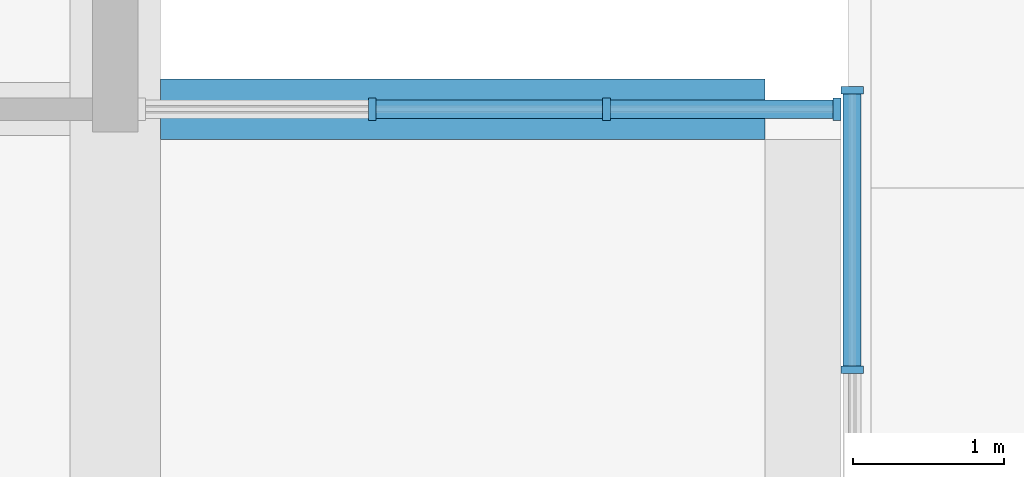
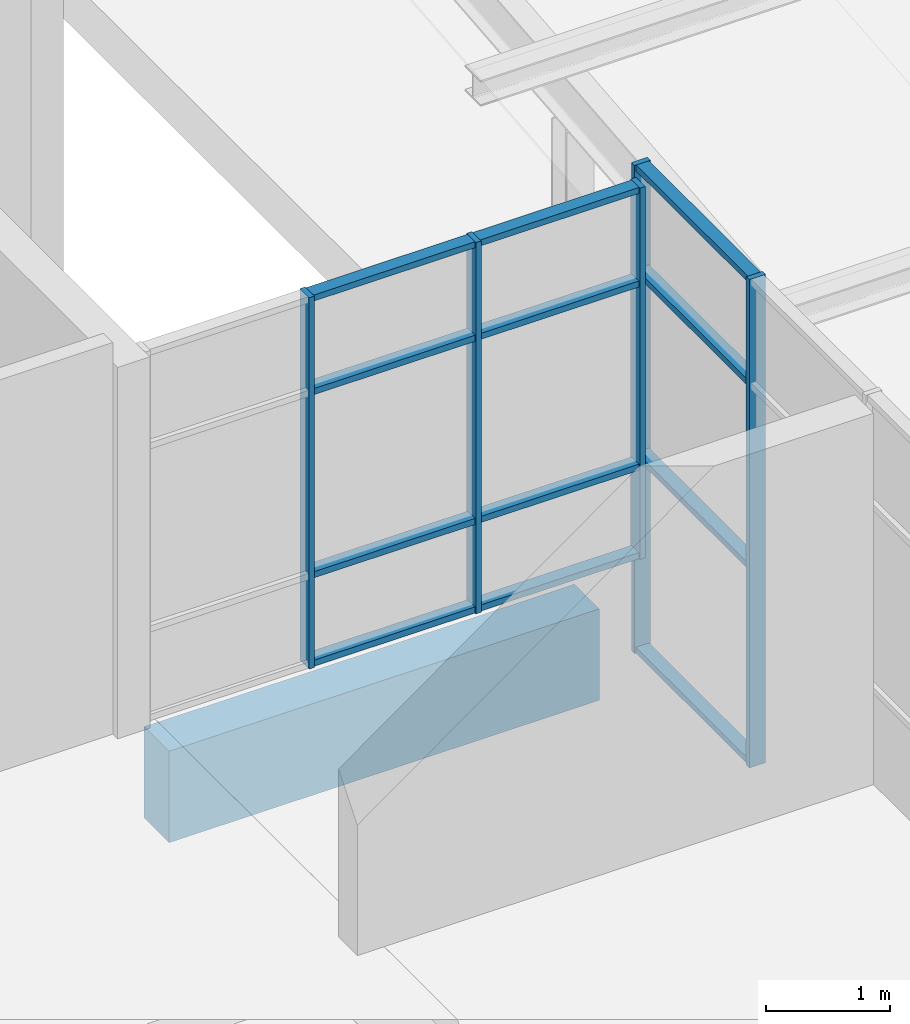
# One storey, part 16 of 44: 17 members, 1 beam, 2 elements without a shape of their own.
"""IFC4 building model written with IfcOpenShell, lengths in metres."""

from ifc_helpers import new_model, si_unit, direction, frame, origin, origin_2d, place, context, subcontext, project, spatial, rectangle, extrude, material, layer, layer_set, material_profile, profile_set, type_object, element, aggregate, save


model = new_model("IFC4")

# Units and contexts
model_context = context("Model", 3, precision=1e-05, world=origin(), true_north=direction((0.0, 1.0)))
body_context = subcontext(model_context, "Body", "Model", "MODEL_VIEW")
ifc_project = project(units=[si_unit("LENGTHUNIT", "METRE"), si_unit("AREAUNIT", "SQUARE_METRE"), si_unit("VOLUMEUNIT", "CUBIC_METRE"), si_unit("PLANEANGLEUNIT", "RADIAN"), si_unit("MASSUNIT", "GRAM", prefix="KILO")], contexts=[model_context])

# Site, building, storey
site_placement = place(None, origin())
site = spatial("IfcSite", under=ifc_project, at=site_placement, CompositionType="ELEMENT")
building_placement = place(site_placement, origin())
building = spatial("IfcBuilding", under=site, at=building_placement, Name="Basin Gate Institute", CompositionType="ELEMENT")
storey_placement = place(building_placement, frame((0.0, 0.0, 27.0)))
storey = spatial("IfcBuildingStorey", under=building, at=storey_placement, Name="L05", CompositionType="ELEMENT", Elevation=27.0)

# Beam
ifc_material_1 = material(Name="Concrete 50 MPa", Category="concrete")
ifc_material_profile_1 = material_profile(ifc_material_1, rectangle(XDim=0.39990234375, YDim=0.89990234375, at=origin_2d()), Name="Cantilever beam B3 400 x 900")
ifc_profile_set_1 = profile_set([ifc_material_profile_1], Name="Concrete 50 MPa")
beam_type = type_object("IfcBeamType", Name="Cantilever beam B3 R120", PredefinedType="BEAM", material=ifc_profile_set_1)
beam_placement = place(storey_placement, frame((123.10009765625, 85.5, -0.699951171875), z_axis=(-1.0, 0.0, 0.0), x_axis=(0.0, -1.0, 0.0)))
element("IfcBeam", 1, at=beam_placement, inside=storey, type_object=beam_type, material=ifc_profile_set_1, Name="BEAM/L05/E/CANT/15", PredefinedType="BEAM", context=body_context, shape_type="SweptSolid", body=[
    extrude(rectangle(XDim=0.39990234375, YDim=0.89990234375, at=origin_2d()), origin(), (0.0, 0.0, 1.0), 4.0),
])

# Curtain wall, members
ifc_material_2 = material(Name="Aluminium-framed glazing", Category="aluminium")
ifc_layer = layer(ifc_material_2, 0.14990234375)
ifc_layer_set = layer_set([ifc_layer], Name="Capsule front curtain wall CW1")
curtain_wall_type = type_object("IfcCurtainWallType", Name="Capsule front curtain wall CW1", PredefinedType="NOTDEFINED", material=ifc_layer_set)
curtain_wall_1_placement = place(storey_placement, origin())
curtain_wall_1 = element("IfcCurtainWall", 2, at=curtain_wall_1_placement, inside=storey, type_object=curtain_wall_type, material=ifc_layer_set, Name="Capsule front curtain wall E wing capsule end L05 line 15", PredefinedType="NOTDEFINED")
ifc_material_3 = material(Name="Aluminium", Category="aluminium")
ifc_material_profile_2 = material_profile(ifc_material_3, rectangle(XDim=0.14990234375, YDim=0.050048828125, at=origin_2d()), Name="Mullion MU1 150 x 50")
ifc_profile_set_2 = profile_set([ifc_material_profile_2], Name="Aluminium")
member_type_1 = type_object("IfcMemberType", Name="Mullion MU1", PredefinedType="MULLION", material=ifc_profile_set_2)
member_1_placement = place(storey_placement, frame((123.574951171875, 85.5, 0.0), z_axis=(0.0, 0.0, 1.0), x_axis=(0.0, -1.0, 0.0)))
member_1 = element("IfcMember", 3, at=member_1_placement, type_object=member_type_1, material=ifc_profile_set_2, Name="CW1 mullion 1", PredefinedType="MULLION", context=body_context, shape_type="SweptSolid", body=[
    extrude(rectangle(XDim=0.14990234375, YDim=0.050048828125, at=origin_2d()), origin(), (0.0, 0.0, 1.0), 3.64990234375),
])
member_2_placement = place(storey_placement, frame((122.050048828125, 85.5, 0.0), z_axis=(0.0, 0.0, 1.0), x_axis=(0.0, -1.0, 0.0)))
member_2 = element("IfcMember", 4, at=member_2_placement, type_object=member_type_1, material=ifc_profile_set_2, Name="CW1 mullion 2", PredefinedType="MULLION", context=body_context, shape_type="SweptSolid", body=[
    extrude(rectangle(XDim=0.14990234375, YDim=0.050048828125, at=origin_2d()), origin(), (0.0, 0.0, 1.0), 3.64990234375),
])
member_3_placement = place(storey_placement, frame((120.5, 85.5, 0.0), z_axis=(0.0, 0.0, 1.0), x_axis=(0.0, -1.0, 0.0)))
member_3 = element("IfcMember", 5, at=member_3_placement, type_object=member_type_1, material=ifc_profile_set_2, Name="CW1 mullion 3", PredefinedType="MULLION", context=body_context, shape_type="SweptSolid", body=[
    extrude(rectangle(XDim=0.14990234375, YDim=0.050048828125, at=origin_2d()), origin(), (0.0, 0.0, 1.0), 3.64990234375),
])

curtain_wall_2_placement = place(storey_placement, origin())
curtain_wall_2 = element("IfcCurtainWall", 6, at=curtain_wall_2_placement, inside=storey, type_object=curtain_wall_type, material=ifc_layer_set, Name="Capsule front curtain wall E wing capsule 2 L05 front 2", PredefinedType="NOTDEFINED")
member_4_placement = place(storey_placement, frame((123.675048828125, 83.77490234375, -1.050048828125), z_axis=(0.0, 0.0, 1.0), x_axis=(-1.0, 0.0, 0.0)))
member_4 = element("IfcMember", 7, at=member_4_placement, type_object=member_type_1, material=ifc_profile_set_2, Name="CW1 mullion 4", PredefinedType="MULLION", context=body_context, shape_type="SweptSolid", body=[
    extrude(rectangle(XDim=0.14990234375, YDim=0.050048828125, at=origin_2d()), origin(), (0.0, 0.0, 1.0), 4.800048828125),
])
member_5_placement = place(storey_placement, frame((123.675048828125, 85.625, -1.050048828125), z_axis=(0.0, 0.0, 1.0), x_axis=(-1.0, 0.0, 0.0)))
member_5 = element("IfcMember", 8, at=member_5_placement, type_object=member_type_1, material=ifc_profile_set_2, Name="CW1 mullion 5", PredefinedType="MULLION", context=body_context, shape_type="SweptSolid", body=[
    extrude(rectangle(XDim=0.14990234375, YDim=0.050048828125, at=origin_2d()), origin(), (0.0, 0.0, 1.0), 4.800048828125),
])

# Member
ifc_material_4 = material(Name="Aluminium", Category="aluminium")
ifc_material_profile_3 = material_profile(ifc_material_4, rectangle(XDim=0.1201171875, YDim=0.06005859375, at=origin_2d()), Name="Transom TR1 120 x 60")
ifc_profile_set_3 = profile_set([ifc_material_profile_3], Name="Aluminium")
member_type_2 = type_object("IfcMemberType", Name="Transom TR1", PredefinedType="USERDEFINED", material=ifc_profile_set_3)
member_6_placement = place(storey_placement, frame((123.550048828125, 85.5, 0.030029296875), z_axis=(-1.0, 0.0, 0.0), x_axis=(0.0, -1.0, 0.0)))
member_6 = element("IfcMember", 9, at=member_6_placement, type_object=member_type_2, material=ifc_profile_set_3, Name="CW1 transom 1.1", ObjectType="TRANSOM", PredefinedType="USERDEFINED", context=body_context, shape_type="SweptSolid", body=[
    extrude(rectangle(XDim=0.1201171875, YDim=0.06005859375, at=origin_2d()), origin(), (0.0, 0.0, 1.0), 1.47509765625),
])

member_7_placement = place(storey_placement, frame((123.550048828125, 85.5, 0.89990234375), z_axis=(-1.0, 0.0, 0.0), x_axis=(0.0, -1.0, 0.0)))
member_7 = element("IfcMember", 10, at=member_7_placement, type_object=member_type_2, material=ifc_profile_set_3, Name="CW1 transom 1.2", ObjectType="TRANSOM", PredefinedType="USERDEFINED", context=body_context, shape_type="SweptSolid", body=[
    extrude(rectangle(XDim=0.1201171875, YDim=0.06005859375, at=origin_2d()), origin(), (0.0, 0.0, 1.0), 1.47509765625),
])

member_8_placement = place(storey_placement, frame((123.550048828125, 85.5, 2.699951171875), z_axis=(-1.0, 0.0, 0.0), x_axis=(0.0, -1.0, 0.0)))
member_8 = element("IfcMember", 11, at=member_8_placement, type_object=member_type_2, material=ifc_profile_set_3, Name="CW1 transom 1.3", ObjectType="TRANSOM", PredefinedType="USERDEFINED", context=body_context, shape_type="SweptSolid", body=[
    extrude(rectangle(XDim=0.1201171875, YDim=0.06005859375, at=origin_2d()), origin(), (0.0, 0.0, 1.0), 1.47509765625),
])

member_9_placement = place(storey_placement, frame((123.550048828125, 85.5, 3.6201171875), z_axis=(-1.0, 0.0, 0.0), x_axis=(0.0, -1.0, 0.0)))
member_9 = element("IfcMember", 12, at=member_9_placement, type_object=member_type_2, material=ifc_profile_set_3, Name="CW1 transom 1.4", ObjectType="TRANSOM", PredefinedType="USERDEFINED", context=body_context, shape_type="SweptSolid", body=[
    extrude(rectangle(XDim=0.1201171875, YDim=0.06005859375, at=origin_2d()), origin(), (0.0, 0.0, 1.0), 1.47509765625),
])

member_10_placement = place(storey_placement, frame((122.02490234375, 85.5, 0.030029296875), z_axis=(-1.0, 0.0, 0.0), x_axis=(0.0, -1.0, 0.0)))
member_10 = element("IfcMember", 13, at=member_10_placement, type_object=member_type_2, material=ifc_profile_set_3, Name="CW1 transom 2.1", ObjectType="TRANSOM", PredefinedType="USERDEFINED", context=body_context, shape_type="SweptSolid", body=[
    extrude(rectangle(XDim=0.1201171875, YDim=0.06005859375, at=origin_2d()), origin(), (0.0, 0.0, 1.0), 1.5),
])

member_11_placement = place(storey_placement, frame((122.02490234375, 85.5, 0.89990234375), z_axis=(-1.0, 0.0, 0.0), x_axis=(0.0, -1.0, 0.0)))
member_11 = element("IfcMember", 14, at=member_11_placement, type_object=member_type_2, material=ifc_profile_set_3, Name="CW1 transom 2.2", ObjectType="TRANSOM", PredefinedType="USERDEFINED", context=body_context, shape_type="SweptSolid", body=[
    extrude(rectangle(XDim=0.1201171875, YDim=0.06005859375, at=origin_2d()), origin(), (0.0, 0.0, 1.0), 1.5),
])

member_12_placement = place(storey_placement, frame((122.02490234375, 85.5, 2.699951171875), z_axis=(-1.0, 0.0, 0.0), x_axis=(0.0, -1.0, 0.0)))
member_12 = element("IfcMember", 15, at=member_12_placement, type_object=member_type_2, material=ifc_profile_set_3, Name="CW1 transom 2.3", ObjectType="TRANSOM", PredefinedType="USERDEFINED", context=body_context, shape_type="SweptSolid", body=[
    extrude(rectangle(XDim=0.1201171875, YDim=0.06005859375, at=origin_2d()), origin(), (0.0, 0.0, 1.0), 1.5),
])

member_13_placement = place(storey_placement, frame((122.02490234375, 85.5, 3.6201171875), z_axis=(-1.0, 0.0, 0.0), x_axis=(0.0, -1.0, 0.0)))
member_13 = element("IfcMember", 16, at=member_13_placement, type_object=member_type_2, material=ifc_profile_set_3, Name="CW1 transom 2.4", ObjectType="TRANSOM", PredefinedType="USERDEFINED", context=body_context, shape_type="SweptSolid", body=[
    extrude(rectangle(XDim=0.1201171875, YDim=0.06005859375, at=origin_2d()), origin(), (0.0, 0.0, 1.0), 1.5),
])

aggregate(curtain_wall_1, [member_1, member_2, member_3, member_6, member_7, member_8, member_9, member_10, member_11, member_12, member_13])

member_14_placement = place(storey_placement, frame((123.675048828125, 83.800048828125, -1.02001953125), z_axis=(0.0, 1.0, 0.0), x_axis=(-1.0, 0.0, 0.0)))
member_14 = element("IfcMember", 17, at=member_14_placement, type_object=member_type_2, material=ifc_profile_set_3, Name="CW1 transom 4.1", ObjectType="TRANSOM", PredefinedType="USERDEFINED", context=body_context, shape_type="SweptSolid", body=[
    extrude(rectangle(XDim=0.1201171875, YDim=0.06005859375, at=origin_2d()), origin(), (0.0, 0.0, 1.0), 1.800048828125),
])

member_15_placement = place(storey_placement, frame((123.675048828125, 83.800048828125, 0.89990234375), z_axis=(0.0, 1.0, 0.0), x_axis=(-1.0, 0.0, 0.0)))
member_15 = element("IfcMember", 18, at=member_15_placement, type_object=member_type_2, material=ifc_profile_set_3, Name="CW1 transom 4.2", ObjectType="TRANSOM", PredefinedType="USERDEFINED", context=body_context, shape_type="SweptSolid", body=[
    extrude(rectangle(XDim=0.1201171875, YDim=0.06005859375, at=origin_2d()), origin(), (0.0, 0.0, 1.0), 1.800048828125),
])

member_16_placement = place(storey_placement, frame((123.675048828125, 83.800048828125, 2.699951171875), z_axis=(0.0, 1.0, 0.0), x_axis=(-1.0, 0.0, 0.0)))
member_16 = element("IfcMember", 19, at=member_16_placement, type_object=member_type_2, material=ifc_profile_set_3, Name="CW1 transom 4.3", ObjectType="TRANSOM", PredefinedType="USERDEFINED", context=body_context, shape_type="SweptSolid", body=[
    extrude(rectangle(XDim=0.1201171875, YDim=0.06005859375, at=origin_2d()), origin(), (0.0, 0.0, 1.0), 1.800048828125),
])

member_17_placement = place(storey_placement, frame((123.675048828125, 83.800048828125, 3.719970703125), z_axis=(0.0, 1.0, 0.0), x_axis=(-1.0, 0.0, 0.0)))
member_17 = element("IfcMember", 20, at=member_17_placement, type_object=member_type_2, material=ifc_profile_set_3, Name="CW1 transom 4.4", ObjectType="TRANSOM", PredefinedType="USERDEFINED", context=body_context, shape_type="SweptSolid", body=[
    extrude(rectangle(XDim=0.1201171875, YDim=0.06005859375, at=origin_2d()), origin(), (0.0, 0.0, 1.0), 1.800048828125),
])

aggregate(curtain_wall_2, [member_4, member_5, member_14, member_15, member_16, member_17])

save(model, "model.ifc")
